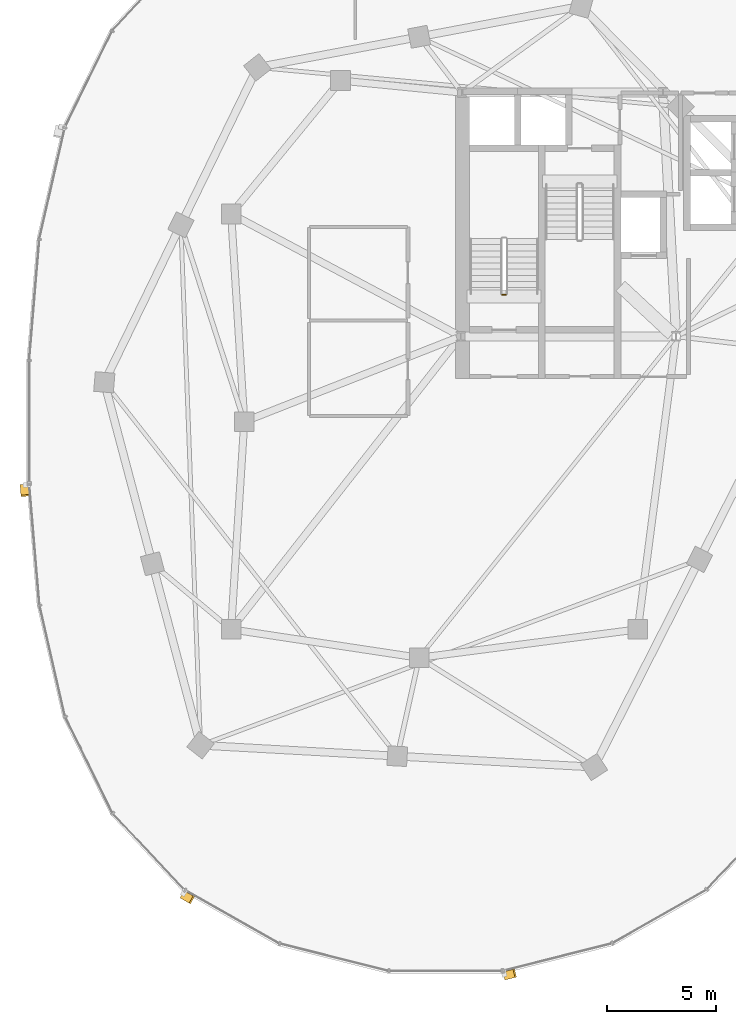
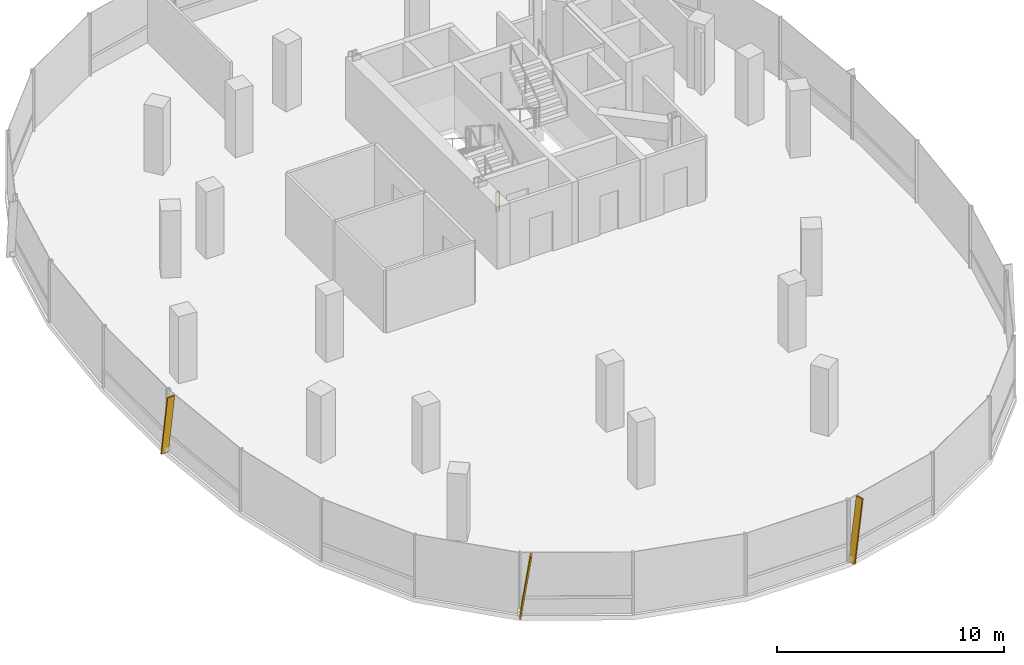
# One storey, part 20 of 24: 3 shading devices, 1 railing.
"""IFC4 building model written with IfcOpenShell, lengths in metres."""

from ifc_helpers import new_model, si_unit, direction, frame, origin, origin_2d, place, context, subcontext, project, spatial, rectangle, extrude, material, material_profile, profile_set, type_object, element, save


model = new_model("IFC4")

# Units and contexts
model_context = context("Model", 3, precision=1e-05, world=origin(), true_north=direction((0.0, 1.0)))
body_context = subcontext(model_context, "Body", "Model", "MODEL_VIEW")
ifc_project = project(units=[si_unit("LENGTHUNIT", "METRE"), si_unit("AREAUNIT", "SQUARE_METRE"), si_unit("VOLUMEUNIT", "CUBIC_METRE"), si_unit("PLANEANGLEUNIT", "RADIAN"), si_unit("MASSUNIT", "GRAM", prefix="KILO"), si_unit("THERMODYNAMICTEMPERATUREUNIT", "KELVIN"), si_unit("POWERUNIT", "WATT")], contexts=[model_context])

# Site, building, storey
site_placement = place(None, origin())
site = spatial("IfcSite", under=ifc_project, at=site_placement, CompositionType="ELEMENT")
building_placement = place(site_placement, origin())
building = spatial("IfcBuilding", under=site, at=building_placement, Name="Cundina Bronze Exchange", CompositionType="ELEMENT")
storey_placement = place(building_placement, frame((0.0, 0.0, 227.800048828125)))
storey = spatial("IfcBuildingStorey", under=building, at=storey_placement, Name="L60", CompositionType="ELEMENT", Elevation=227.800048828125)

# Railing
ifc_material_1 = material(Name="Steel ASTM A36 Painted", Category="steel")
railing_type = type_object("IfcRailingType", Name="RLG-STG-1100", PredefinedType="GUARDRAIL", material=ifc_material_1)
railing_placement = place(storey_placement, frame((-29.239990234375, 5.800048828125, 0.0)))
element("IfcRailing", 1, at=railing_placement, inside=storey, type_object=railing_type, Name="L60 ST-W1 stair guard 4", PredefinedType="GUARDRAIL", context=body_context, shape_type="SweptSolid", body=[
    extrude(rectangle(XDim=0.048095703125, YDim=0.048095703125, at=origin_2d()), frame((0.0, 0.0, 1.076171875), z_axis=(-1.0, 0.0, 0.0), x_axis=(0.0, -1.0, 0.0)), (0.0, 0.0, 1.0), 0.159912109375),
    extrude(rectangle(XDim=0.0419921875, YDim=0.0419921875, at=origin_2d()), origin(), (0.0, 0.0, 1.0), 1.052001953125),
    extrude(rectangle(XDim=0.0419921875, YDim=0.0419921875, at=origin_2d()), frame((-0.159912109375, 0.0, 0.0)), (0.0, 0.0, 1.0), 1.052001953125),
])

# Shading devices
ifc_material_2 = material(Name="Anodised Bronze Aluminium 6063-T6", Category="aluminium")
ifc_material_profile = material_profile(ifc_material_2, rectangle(XDim=0.070068359375, YDim=0.3798828125, at=origin_2d()), Name="FIN70X380", Category="aluminium")
ifc_profile_set = profile_set([ifc_material_profile], Name="Anodised Bronze Aluminium 6063-T6")
shading_device_type = type_object("IfcShadingDeviceType", Name="SHD-FIN-BRZ380", PredefinedType="USERDEFINED", material=ifc_profile_set)
for number, where, z_axis, x_axis, name in (
    (2, (-51.264404296875, -2.90283203125, 0.02001953125), (0.012006555776, -0.143419772964, 0.98958911238), (-0.082555834947, 0.986139516224, 0.143921466983), "L60 Diagonal Bronze Solar Fin 1"),
    (3, (-44.015625, -21.635498046875, 0.02001953125), (0.125189514072, -0.071087145125, 0.989582843103), (-0.860526986551, 0.488638423358, 0.143964567292), "L60 Diagonal Bronze Solar Fin 5"),
    (4, (-29.294189453125, -25.344482421875, 0.02001953125), (0.139611891367, 0.03514090606, 0.989582556693), (-0.959650042543, -0.24154799183, 0.143966536007), "L60 Diagonal Bronze Solar Fin 1"),
):
    element("IfcShadingDevice", number, at=place(storey_placement, frame(where, z_axis=z_axis, x_axis=x_axis)), inside=storey, type_object=shading_device_type, Name=name, ObjectType="FIN", PredefinedType="USERDEFINED", context=body_context, shape_type="SweptSolid", body=[
        extrude(rectangle(XDim=0.070068359375, YDim=0.3798828125, at=origin_2d()), origin(), (0.0, 0.0, 1.0), 3.334716796875),
    ])

save(model, "model.ifc")
